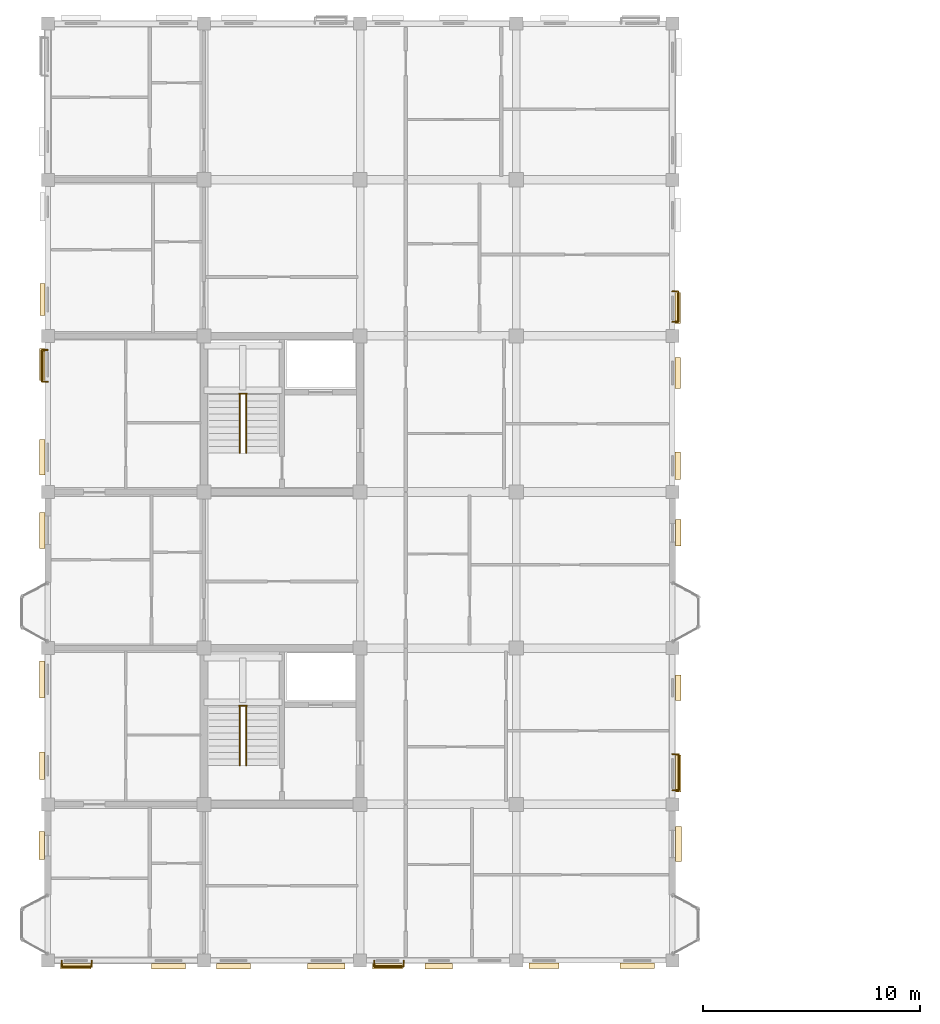
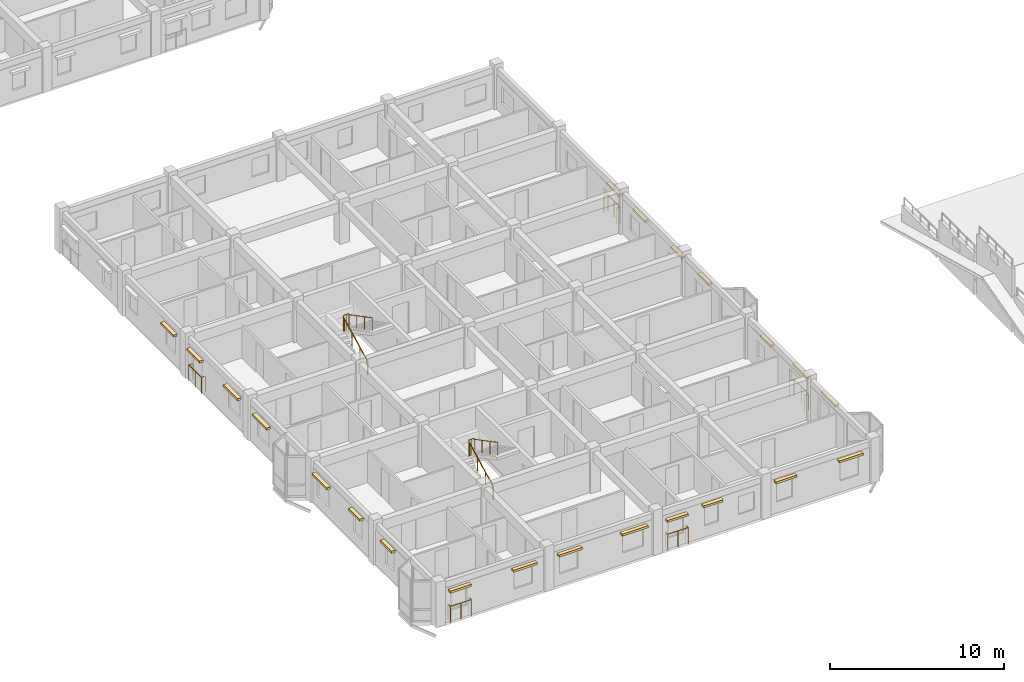
# One storey, part 115 of 124: 22 coverings, 11 railings.
"""IFC4 building model written with IfcOpenShell, lengths in metres."""

import ifcopenshell
import ifcopenshell.guid

model = None  # the IFC model being written
_history = None  # IfcOwnerHistory: only IFC2X3 demands one
_inside = {}  # id of a spatial element -> (the spatial element, [elements in it])
_under = {}  # id of a project, library or spatial element -> (it, [spatial elements below it])
_declared = {}  # id of a project -> (the project, [libraries it declares])
_typed = {}  # id of a type object -> (the type object, [elements of that type])
_made_of = {}  # id of a material, layer set ... -> (it, [elements and type objects made of it])


def new_model(schema):
    """Start an empty IFC model of exactly this schema.

    Asked for "IFC4X3", IfcOpenShell would pick the latest addendum, in which some entities
    have other attributes; the version numbers below select the first issue.
    IFC2X3 requires an IfcOwnerHistory on every rooted entity: one is made here for all.
    """
    global model, _history
    if schema == "IFC4X3":
        model = ifcopenshell.file(schema_version=(4, 3, 0, 0))
    else:
        model = ifcopenshell.file(schema=schema)
    _inside.clear()
    _under.clear()
    _declared.clear()
    _typed.clear()
    _made_of.clear()
    _history = None
    if model.schema == "IFC2X3":
        org = make("IfcOrganization", Name="unknown")
        user = make(
            "IfcPersonAndOrganization",
            ThePerson=make("IfcPerson", FamilyName="unknown"),
            TheOrganization=org,
        )
        app = make(
            "IfcApplication",
            ApplicationDeveloper=org,
            Version="unknown",
            ApplicationFullName="unknown",
            ApplicationIdentifier="unknown",
        )
        _history = make(
            "IfcOwnerHistory",
            OwningUser=user,
            OwningApplication=app,
            ChangeAction="ADDED",
            CreationDate=0,
        )
    return model


def make(cls, **values):
    """One entity of the class cls with the attributes given. An attribute that is None is left unset."""
    return model.create_entity(
        cls, **{name: value for name, value in values.items() if value is not None}
    )


def rooted(cls, **values):
    """An entity with a GlobalId (a new one), such as an element, a storey or a relation."""
    return make(cls, GlobalId=ifcopenshell.guid.new(), OwnerHistory=_history, **values)


def si_unit(unit_type, name, prefix=None):
    """IfcSIUnit, for example si_unit("LENGTHUNIT", "METRE", prefix="MILLI")."""
    return make("IfcSIUnit", UnitType=unit_type, Prefix=prefix, Name=name)


def assignment(units):
    """IfcUnitAssignment: the units of a project."""
    return None if units is None else make("IfcUnitAssignment", Units=units)


def point(xyz):
    """IfcCartesianPoint."""
    return None if xyz is None else make("IfcCartesianPoint", Coordinates=xyz)


def direction(xyz):
    """IfcDirection."""
    return None if xyz is None else make("IfcDirection", DirectionRatios=xyz)


def frame(location, z_axis=None, x_axis=None):
    """IfcAxis2Placement3D, a coordinate frame: its origin and axes. An axis left out is left unset."""
    return make(
        "IfcAxis2Placement3D",
        Location=point(location),
        Axis=direction(z_axis),
        RefDirection=direction(x_axis),
    )


def frame_2d(location, x_axis=None):
    """IfcAxis2Placement2D, a coordinate frame in the plane: its origin and x axis."""
    return make(
        "IfcAxis2Placement2D", Location=point(location), RefDirection=direction(x_axis)
    )


def origin():
    """The frame at (0, 0, 0) with its axes left unset."""
    return frame((0.0, 0.0, 0.0))


def origin_2d():
    """The frame at (0, 0) in the plane with its x axis left unset."""
    return frame_2d((0.0, 0.0))


def place(relative_to, where):
    """IfcLocalPlacement: puts the frame where relative to a parent placement (None: the world)."""
    return make(
        "IfcLocalPlacement", PlacementRelTo=relative_to, RelativePlacement=where
    )


def context(
    kind, dimensions, precision=None, world=None, true_north=None, identifier=None
):
    """IfcGeometricRepresentationContext, for example the 3D "Model" context."""
    return make(
        "IfcGeometricRepresentationContext",
        ContextIdentifier=identifier,
        ContextType=kind,
        CoordinateSpaceDimension=dimensions,
        Precision=precision,
        WorldCoordinateSystem=world,
        TrueNorth=true_north,
    )


def subcontext(parent, identifier, kind, view, scale=None):
    """IfcGeometricRepresentationSubContext, for example "Body" below "Model"."""
    return make(
        "IfcGeometricRepresentationSubContext",
        ContextIdentifier=identifier,
        ContextType=kind,
        ParentContext=parent,
        TargetScale=scale,
        TargetView=view,
    )


def project(units=None, contexts=None):
    """IfcProject with its units and contexts."""
    return rooted(
        "IfcProject",
        Name="project",
        RepresentationContexts=contexts,
        UnitsInContext=assignment(units),
    )


def spatial(cls, under=None, at=None, **own):
    """A site, building, storey or space (cls), placed at a placement, below another one or the project."""
    s = rooted(cls, ObjectPlacement=at, **own)
    if under is not None:
        _under.setdefault(under.id(), (under, []))[1].append(s)
    return s


def profile(cls, at=None, kind="AREA", **sizes):
    """A parametric profile (cls). Its sizes go by their IFC names, for example OverallWidth=200.0."""
    return make(cls, ProfileType=kind, Position=at, **sizes)


def rectangle(**sizes):
    """IfcRectangleProfileDef."""
    return profile("IfcRectangleProfileDef", **sizes)


def circle(**sizes):
    """IfcCircleProfileDef."""
    return profile("IfcCircleProfileDef", **sizes)


def extrude(swept, where, along, depth):
    """IfcExtrudedAreaSolid: the profile swept, set in the frame where, extruded along a direction by depth."""
    return make(
        "IfcExtrudedAreaSolid",
        SweptArea=swept,
        Position=where,
        ExtrudedDirection=direction(along),
        Depth=depth,
    )


def shape(context_of_items, identifier, shape_type, items):
    """IfcShapeRepresentation: the items that make up one representation, for example the "Body"."""
    return make(
        "IfcShapeRepresentation",
        ContextOfItems=context_of_items,
        RepresentationIdentifier=identifier,
        RepresentationType=shape_type,
        Items=items,
    )


def material(Name=None, Category=None):
    """IfcMaterial."""
    return make("IfcMaterial", Name=Name, Category=Category)


def layer(
    of_material, thickness, ventilated=None, Name=None, Category=None, Priority=None
):
    """IfcMaterialLayer: one layer of a wall or slab, of a material (None: an air gap)."""
    return make(
        "IfcMaterialLayer",
        Material=of_material,
        LayerThickness=thickness,
        IsVentilated=ventilated,
        Name=Name,
        Category=Category,
        Priority=Priority,
    )


def layer_set(layers, Name=None):
    """IfcMaterialLayerSet."""
    return make("IfcMaterialLayerSet", MaterialLayers=layers, LayerSetName=Name)


def made_of(thing, what):
    """Note that an element or type object is made of a material, layer set ...; save() writes the relation."""
    if what is not None:
        _made_of.setdefault(what.id(), (what, []))[1].append(thing)
    return thing


def type_object(cls, material=None, **own):
    """A type object (cls), such as IfcWallType, which elements share."""
    return made_of(rooted(cls, **own), material)


def element(
    cls,
    number,
    at=None,
    inside=None,
    cuts=None,
    type_object=None,
    material=None,
    context=None,
    identifier="Body",
    shape_type=None,
    held_by="IfcProductDefinitionShape",
    body=None,
    shapes=None,
    **own,
):
    """One element of the class cls, such as IfcWall. Its Tag is "e" and its number.

    at: its placement. inside: the storey or other place that contains it. cuts: it is an
    opening in that element (IfcRelVoidsElement). A single representation is given by context,
    identifier, shape_type and body (its items); several are given by shapes. held_by: the class
    of the entity that holds the representations. save() writes the other relations.
    """
    e = rooted(cls, Tag="e%d" % number, ObjectPlacement=at, **own)
    if body is not None:
        shapes = [shape(context, identifier, shape_type, body)]
    if shapes is not None:
        e.Representation = make(held_by, Representations=shapes)
    if inside is not None:
        _inside.setdefault(inside.id(), (inside, []))[1].append(e)
    if cuts is not None:
        rooted(
            "IfcRelVoidsElement", RelatingBuildingElement=cuts, RelatedOpeningElement=e
        )
    if type_object is not None:
        _typed.setdefault(type_object.id(), (type_object, []))[1].append(e)
    return made_of(e, material)


def aggregate(whole, parts):
    """IfcRelAggregates: a whole, such as a stair, and the parts it consists of."""
    return rooted("IfcRelAggregates", RelatingObject=whole, RelatedObjects=parts)


def save(model, path):
    """Write the relations noted so far, then the file.

    IfcRelAggregates (storeys below a building ...), IfcRelContainedInSpatialStructure (elements
    in a storey), IfcRelDefinesByType, IfcRelAssociatesMaterial and IfcRelDeclares: one each for
    every whole, place, type object, material and project.
    """
    for whole, parts in _under.values():
        aggregate(whole, parts)
    for where, things in _inside.values():
        rooted(
            "IfcRelContainedInSpatialStructure",
            RelatedElements=things,
            RelatingStructure=where,
        )
    for kind, things in _typed.values():
        rooted("IfcRelDefinesByType", RelatedObjects=things, RelatingType=kind)
    for what, things in _made_of.values():
        rooted("IfcRelAssociatesMaterial", RelatedObjects=things, RelatingMaterial=what)
    for by, libraries in _declared.values():
        rooted("IfcRelDeclares", RelatingContext=by, RelatedDefinitions=libraries)
    model.write(path)


model = new_model("IFC4")

# Units and contexts
model_context = context("Model", 3, precision=1e-05, world=origin(), true_north=direction((0.0, 1.0)))
body_context = subcontext(model_context, "Body", "Model", "MODEL_VIEW")
ifc_project = project(units=[si_unit("LENGTHUNIT", "METRE"), si_unit("AREAUNIT", "SQUARE_METRE"), si_unit("VOLUMEUNIT", "CUBIC_METRE"), si_unit("PLANEANGLEUNIT", "RADIAN"), si_unit("MASSUNIT", "GRAM", prefix="KILO"), si_unit("THERMODYNAMICTEMPERATUREUNIT", "KELVIN"), si_unit("POWERUNIT", "WATT")], contexts=[model_context])

# Site, building, storey
site_placement = place(None, origin())
site = spatial("IfcSite", under=ifc_project, at=site_placement, CompositionType="ELEMENT")
building_placement = place(site_placement, origin())
building = spatial("IfcBuilding", under=site, at=building_placement, Name="Tavuni Mirador Residences", CompositionType="ELEMENT")
storey_placement = place(building_placement, frame((0.0, 0.0, 7.64990234375)))
storey = spatial("IfcBuildingStorey", under=building, at=storey_placement, Name="L02", CompositionType="ELEMENT", Elevation=7.64990234375)

# Coverings
ifc_material_1 = material(Name="Natural coral limestone", Category="masonry")
ifc_layer = layer(ifc_material_1, 0.054931640625, Name="Natural coral limestone", Category="masonry")
ifc_layer_set = layer_set([ifc_layer], Name="Natural coral limestone")
covering_type = type_object("IfcCoveringType", Name="CVT-CLAD-CORAL", PredefinedType="CLADDING", material=ifc_layer_set)
covering_1_placement = place(storey_placement, frame((4.8798828125, 6.925537109375, 2.1650390625), z_axis=(0.0, 0.0, 1.0), x_axis=(1.0, 0.0, 0.0)))
element("IfcCovering", 1, at=covering_1_placement, inside=storey, type_object=covering_type, Name="HOOD-0055", PredefinedType="CLADDING", context=body_context, shape_type="SweptSolid", body=[
    extrude(rectangle(XDim=1.39990234375, YDim=0.25, at=origin_2d()), origin(), (0.0, 0.0, 1.0), 0.14990234375),
])
for number, where, z_axis, x_axis, name in (
    (2, (9.159912109375, 6.925537109375, 2.1650390625), (0.0, 0.0, 1.0), (1.0, 0.0, 0.0), "HOOD-0056"),
    (3, (12.159912109375, 6.93310546875, 2.1650390625), (0.0, 0.0, 1.0), (1.0, 0.0, 0.0), "HOOD-0057"),
):
    element("IfcCovering", number, at=place(storey_placement, frame(where, z_axis=z_axis, x_axis=x_axis)), inside=storey, type_object=covering_type, Name=name, PredefinedType="CLADDING", context=body_context, shape_type="SweptSolid", body=[
        extrude(rectangle(XDim=1.56005859375, YDim=0.25, at=origin_2d()), origin(), (0.0, 0.0, 1.0), 0.14990234375),
    ])
covering_2_placement = place(storey_placement, frame((16.43994140625, 6.93310546875, 2.1650390625), z_axis=(0.0, 0.0, 1.0), x_axis=(1.0, 0.0, 0.0)))
element("IfcCovering", 4, at=covering_2_placement, inside=storey, type_object=covering_type, Name="HOOD-0058", PredefinedType="CLADDING", context=body_context, shape_type="SweptSolid", body=[
    extrude(rectangle(XDim=1.719970703125, YDim=0.25, at=origin_2d()), origin(), (0.0, 0.0, 1.0), 0.14990234375),
])
covering_3_placement = place(storey_placement, frame((19.27001953125, 6.9404296875, 2.065185546875), z_axis=(0.0, 0.0, 1.0), x_axis=(1.0, 0.0, 0.0)))
element("IfcCovering", 5, at=covering_3_placement, inside=storey, type_object=covering_type, Name="HOOD-0059", PredefinedType="CLADDING", context=body_context, shape_type="SweptSolid", body=[
    extrude(rectangle(XDim=1.3798828125, YDim=0.25, at=origin_2d()), origin(), (0.0, 0.0, 1.0), 0.14990234375),
])
covering_4_placement = place(storey_placement, frame((21.6298828125, 6.9404296875, 2.2451171875), z_axis=(0.0, 0.0, 1.0), x_axis=(1.0, 0.0, 0.0)))
element("IfcCovering", 6, at=covering_4_placement, inside=storey, type_object=covering_type, Name="HOOD-0060", PredefinedType="CLADDING", context=body_context, shape_type="SweptSolid", body=[
    extrude(rectangle(XDim=1.280029296875, YDim=0.25, at=origin_2d()), origin(), (0.0, 0.0, 1.0), 0.14990234375),
])
covering_5_placement = place(storey_placement, frame((26.47509765625, 6.950439453125, 2.2451171875), z_axis=(0.0, 0.0, 1.0), x_axis=(1.0, 0.0, 0.0)))
element("IfcCovering", 7, at=covering_5_placement, inside=storey, type_object=covering_type, Name="HOOD-0061", PredefinedType="CLADDING", context=body_context, shape_type="SweptSolid", body=[
    extrude(rectangle(XDim=1.389892578125, YDim=0.25, at=origin_2d()), origin(), (0.0, 0.0, 1.0), 0.14990234375),
])
covering_6_placement = place(storey_placement, frame((30.77490234375, 6.950439453125, 2.2451171875), z_axis=(0.0, 0.0, 1.0), x_axis=(1.0, 0.0, 0.0)))
element("IfcCovering", 8, at=covering_6_placement, inside=storey, type_object=covering_type, Name="HOOD-0062", PredefinedType="CLADDING", context=body_context, shape_type="SweptSolid", body=[
    extrude(rectangle(XDim=1.590087890625, YDim=0.25, at=origin_2d()), origin(), (0.0, 0.0, 1.0), 0.14990234375),
])
covering_7_placement = place(storey_placement, frame((32.679443359375, 12.570068359375, 2.240234375), z_axis=(0.0, 0.0, 1.0), x_axis=(0.0, 1.0, 0.0)))
element("IfcCovering", 9, at=covering_7_placement, inside=storey, type_object=covering_type, Name="HOOD-0063", PredefinedType="CLADDING", context=body_context, shape_type="SweptSolid", body=[
    extrude(rectangle(XDim=1.610107421875, YDim=0.260009765625, at=origin_2d()), origin(), (0.0, 0.0, 1.0), 0.159912109375),
])
covering_8_placement = place(storey_placement, frame((32.6669921875, 15.824951171875, 2.2451171875), z_axis=(0.0, 0.0, 1.0), x_axis=(0.0, 1.0, 0.0)))
element("IfcCovering", 10, at=covering_8_placement, inside=storey, type_object=covering_type, Name="HOOD-0064", PredefinedType="CLADDING", context=body_context, shape_type="SweptSolid", body=[
    extrude(rectangle(XDim=1.68994140625, YDim=0.25, at=origin_2d()), origin(), (0.0, 0.0, 1.0), 0.14990234375),
])
covering_9_placement = place(storey_placement, frame((32.6669921875, 19.77490234375, 1.955078125), z_axis=(0.0, 0.0, 1.0), x_axis=(0.0, 1.0, 0.0)))
element("IfcCovering", 11, at=covering_9_placement, inside=storey, type_object=covering_type, Name="HOOD-0065", PredefinedType="CLADDING", context=body_context, shape_type="SweptSolid", body=[
    extrude(rectangle(XDim=1.18994140625, YDim=0.25, at=origin_2d()), origin(), (0.0, 0.0, 1.0), 0.14990234375),
])
covering_10_placement = place(storey_placement, frame((32.66455078125, 26.919921875, 1.9501953125), z_axis=(0.0, 0.0, 1.0), x_axis=(0.0, 1.0, 0.0)))
element("IfcCovering", 12, at=covering_10_placement, inside=storey, type_object=covering_type, Name="HOOD-0066", PredefinedType="CLADDING", context=body_context, shape_type="SweptSolid", body=[
    extrude(rectangle(XDim=1.2099609375, YDim=0.260009765625, at=origin_2d()), origin(), (0.0, 0.0, 1.0), 0.159912109375),
])
covering_11_placement = place(storey_placement, frame((32.6494140625, 30.010009765625, 1.955078125), z_axis=(0.0, 0.0, 1.0), x_axis=(0.0, 1.0, 0.0)))
element("IfcCovering", 13, at=covering_11_placement, inside=storey, type_object=covering_type, Name="HOOD-0067", PredefinedType="CLADDING", context=body_context, shape_type="SweptSolid", body=[
    extrude(rectangle(XDim=1.260009765625, YDim=0.25, at=origin_2d()), origin(), (0.0, 0.0, 1.0), 0.14990234375),
])
for number, where, z_axis, x_axis, name in (
    (14, (32.6494140625, 34.2900390625, 1.955078125), (0.0, 0.0, 1.0), (0.0, 1.0, 0.0), "HOOD-0068"),
    (15, (32.64453125, 37.2900390625, 1.955078125), (0.0, 0.0, 1.0), (0.0, 1.0, 0.0), "HOOD-0069"),
):
    element("IfcCovering", number, at=place(storey_placement, frame(where, z_axis=z_axis, x_axis=x_axis)), inside=storey, type_object=covering_type, Name=name, PredefinedType="CLADDING", context=body_context, shape_type="SweptSolid", body=[
        extrude(rectangle(XDim=1.419921875, YDim=0.25, at=origin_2d()), origin(), (0.0, 0.0, 1.0), 0.14990234375),
    ])
for number, where, z_axis, x_axis, name in (
    (16, (3.35546875, 37.679931640625, 2.1650390625), (0.0, 0.0, 1.0), (0.0, -1.0, 0.0), "HOOD-0084"),
    (17, (3.3505859375, 34.679931640625, 2.1650390625), (0.0, 0.0, 1.0), (0.0, -1.0, 0.0), "HOOD-0085"),
):
    element("IfcCovering", number, at=place(storey_placement, frame(where, z_axis=z_axis, x_axis=x_axis)), inside=storey, type_object=covering_type, Name=name, PredefinedType="CLADDING", context=body_context, shape_type="SweptSolid", body=[
        extrude(rectangle(XDim=1.47998046875, YDim=0.25, at=origin_2d()), origin(), (0.0, 0.0, 1.0), 0.14990234375),
    ])
covering_12_placement = place(storey_placement, frame((3.3505859375, 30.39990234375, 2.1650390625), z_axis=(0.0, 0.0, 1.0), x_axis=(0.0, -1.0, 0.0)))
element("IfcCovering", 18, at=covering_12_placement, inside=storey, type_object=covering_type, Name="HOOD-0086", PredefinedType="CLADDING", context=body_context, shape_type="SweptSolid", body=[
    extrude(rectangle(XDim=1.639892578125, YDim=0.25, at=origin_2d()), origin(), (0.0, 0.0, 1.0), 0.14990234375),
])
covering_13_placement = place(storey_placement, frame((3.33544921875, 27.034912109375, 2.16015625), z_axis=(0.0, 0.0, 1.0), x_axis=(0.0, -1.0, 0.0)))
element("IfcCovering", 19, at=covering_13_placement, inside=storey, type_object=covering_type, Name="HOOD-0087", PredefinedType="CLADDING", context=body_context, shape_type="SweptSolid", body=[
    extrude(rectangle(XDim=1.659912109375, YDim=0.260009765625, at=origin_2d()), origin(), (0.0, 0.0, 1.0), 0.159912109375),
])
covering_14_placement = place(storey_placement, frame((3.3330078125, 20.159912109375, 2.1650390625), z_axis=(0.0, 0.0, 1.0), x_axis=(0.0, -1.0, 0.0)))
element("IfcCovering", 20, at=covering_14_placement, inside=storey, type_object=covering_type, Name="HOOD-0088", PredefinedType="CLADDING", context=body_context, shape_type="SweptSolid", body=[
    extrude(rectangle(XDim=1.719970703125, YDim=0.25, at=origin_2d()), origin(), (0.0, 0.0, 1.0), 0.14990234375),
])
covering_15_placement = place(storey_placement, frame((3.3330078125, 16.179931640625, 2.2451171875), z_axis=(0.0, 0.0, 1.0), x_axis=(0.0, -1.0, 0.0)))
element("IfcCovering", 21, at=covering_15_placement, inside=storey, type_object=covering_type, Name="HOOD-0089", PredefinedType="CLADDING", context=body_context, shape_type="SweptSolid", body=[
    extrude(rectangle(XDim=1.280029296875, YDim=0.25, at=origin_2d()), origin(), (0.0, 0.0, 1.0), 0.14990234375),
])
covering_16_placement = place(storey_placement, frame((3.320556640625, 12.4951171875, 2.240234375), z_axis=(0.0, 0.0, 1.0), x_axis=(0.0, -1.0, 0.0)))
element("IfcCovering", 22, at=covering_16_placement, inside=storey, type_object=covering_type, Name="HOOD-0090", PredefinedType="CLADDING", context=body_context, shape_type="SweptSolid", body=[
    extrude(rectangle(XDim=1.300048828125, YDim=0.260009765625, at=origin_2d()), origin(), (0.0, 0.0, 1.0), 0.159912109375),
])

# Railings
ifc_material_2 = material(Name="Structural steel S355", Category="steel")
railing_type_1 = type_object("IfcRailingType", Name="RT-BL1150", PredefinedType="BALUSTRADE", material=ifc_material_2)
railing_1_placement = place(storey_placement, frame((4.25, 7.199951171875, 0.0400390625)))
element("IfcRailing", 23, at=railing_1_placement, inside=storey, type_object=railing_type_1, Name="BALC-BLK-A-L02-S00", PredefinedType="BALUSTRADE", context=body_context, shape_type="SweptSolid", body=[
    extrude(circle(Radius=0.02392578125, at=origin_2d()), frame((0.0, 0.0, 1.1259765625), z_axis=(0.0, -1.0, 0.0), x_axis=(1.0, 0.0, 0.0)), (0.0, 0.0, 1.0), 0.29248046875),
    extrude(circle(Radius=0.02392578125, at=origin_2d()), frame((0.0, -0.29248046875, 1.1259765625), z_axis=(1.0, 0.0, 0.0), x_axis=(0.0, 1.0, 0.0)), (0.0, 0.0, 1.0), 1.3798828125),
    extrude(circle(Radius=0.02392578125, at=origin_2d()), frame((1.3798828125, -0.29248046875, 1.1259765625), z_axis=(0.0, 1.0, 0.0), x_axis=(-1.0, 0.0, 0.0)), (0.0, 0.0, 1.0), 0.29248046875),
    extrude(circle(Radius=0.02099609375, at=origin_2d()), origin(), (0.0, 0.0, 1.0), 1.101806640625),
    extrude(circle(Radius=0.02099609375, at=origin_2d()), frame((0.0, -0.29248046875, 0.0)), (0.0, 0.0, 1.0), 1.101806640625),
    extrude(circle(Radius=0.02099609375, at=origin_2d()), frame((0.68994140625, -0.29248046875, 0.0)), (0.0, 0.0, 1.0), 1.101806640625),
    extrude(circle(Radius=0.02099609375, at=origin_2d()), frame((1.3798828125, -0.29248046875, 0.0)), (0.0, 0.0, 1.0), 1.101806640625),
    extrude(circle(Radius=0.02099609375, at=origin_2d()), frame((1.3798828125, 0.0, 0.0)), (0.0, 0.0, 1.0), 1.101806640625),
])
railing_2_placement = place(storey_placement, frame((18.64990234375, 7.199951171875, 0.0400390625)))
element("IfcRailing", 24, at=railing_2_placement, inside=storey, type_object=railing_type_1, Name="BALC-BLK-A-L02-S02", PredefinedType="BALUSTRADE", context=body_context, shape_type="SweptSolid", body=[
    extrude(circle(Radius=0.02392578125, at=origin_2d()), frame((0.0, 0.0, 1.1259765625), z_axis=(0.0, -1.0, 0.0), x_axis=(1.0, 0.0, 0.0)), (0.0, 0.0, 1.0), 0.27734375),
    extrude(circle(Radius=0.02392578125, at=origin_2d()), frame((0.0, -0.27734375, 1.1259765625), z_axis=(1.0, 0.0, 0.0), x_axis=(0.0, 1.0, 0.0)), (0.0, 0.0, 1.0), 1.360107421875),
    extrude(circle(Radius=0.02392578125, at=origin_2d()), frame((1.360107421875, -0.27734375, 1.1259765625), z_axis=(0.0, 1.0, 0.0), x_axis=(-1.0, 0.0, 0.0)), (0.0, 0.0, 1.0), 0.27734375),
    extrude(circle(Radius=0.02099609375, at=origin_2d()), origin(), (0.0, 0.0, 1.0), 1.101806640625),
    extrude(circle(Radius=0.02099609375, at=origin_2d()), frame((0.0, -0.27734375, 0.0)), (0.0, 0.0, 1.0), 1.101806640625),
    extrude(circle(Radius=0.02099609375, at=origin_2d()), frame((0.68017578125, -0.27734375, 0.0)), (0.0, 0.0, 1.0), 1.101806640625),
    extrude(circle(Radius=0.02099609375, at=origin_2d()), frame((1.360107421875, -0.27734375, 0.0)), (0.0, 0.0, 1.0), 1.101806640625),
    extrude(circle(Radius=0.02099609375, at=origin_2d()), frame((1.360107421875, 0.0, 0.0)), (0.0, 0.0, 1.0), 1.101806640625),
])
railing_3_placement = place(storey_placement, frame((32.39990234375, 15.050048828125, 0.0400390625)))
element("IfcRailing", 25, at=railing_3_placement, inside=storey, type_object=railing_type_1, Name="BALC-BLK-A-L02-E01", PredefinedType="BALUSTRADE", context=body_context, shape_type="SweptSolid", body=[
    extrude(circle(Radius=0.02392578125, at=origin_2d()), frame((0.0, 0.0, 1.1259765625), z_axis=(1.0, 0.0, 0.0), x_axis=(0.0, 1.0, 0.0)), (0.0, 0.0, 1.0), 0.28515625),
    extrude(circle(Radius=0.02392578125, at=origin_2d()), frame((0.28515625, 0.0, 1.1259765625), z_axis=(0.0, 1.0, 0.0), x_axis=(-1.0, 0.0, 0.0)), (0.0, 0.0, 1.0), 1.669921875),
    extrude(circle(Radius=0.02392578125, at=origin_2d()), frame((0.28515625, 1.669921875, 1.1259765625), z_axis=(-1.0, 0.0, 0.0), x_axis=(0.0, -1.0, 0.0)), (0.0, 0.0, 1.0), 0.28515625),
    extrude(circle(Radius=0.02099609375, at=origin_2d()), origin(), (0.0, 0.0, 1.0), 1.101806640625),
    extrude(circle(Radius=0.02099609375, at=origin_2d()), frame((0.28515625, 0.0, 0.0)), (0.0, 0.0, 1.0), 1.101806640625),
    extrude(circle(Radius=0.02099609375, at=origin_2d()), frame((0.28515625, 0.8349609375, 0.0)), (0.0, 0.0, 1.0), 1.101806640625),
    extrude(circle(Radius=0.02099609375, at=origin_2d()), frame((0.28515625, 1.669921875, 0.0)), (0.0, 0.0, 1.0), 1.101806640625),
    extrude(circle(Radius=0.02099609375, at=origin_2d()), frame((0.0, 1.669921875, 0.0)), (0.0, 0.0, 1.0), 1.101806640625),
])
railing_4_placement = place(storey_placement, frame((32.39990234375, 36.64990234375, 0.0400390625)))
element("IfcRailing", 26, at=railing_4_placement, inside=storey, type_object=railing_type_1, Name="BALC-BLK-A-L02-E04", PredefinedType="BALUSTRADE", context=body_context, shape_type="SweptSolid", body=[
    extrude(circle(Radius=0.02392578125, at=origin_2d()), frame((0.0, 0.0, 1.1259765625), z_axis=(1.0, 0.0, 0.0), x_axis=(0.0, 1.0, 0.0)), (0.0, 0.0, 1.0), 0.2626953125),
    extrude(circle(Radius=0.02392578125, at=origin_2d()), frame((0.2626953125, 0.0, 1.1259765625), z_axis=(0.0, 1.0, 0.0), x_axis=(-1.0, 0.0, 0.0)), (0.0, 0.0, 1.0), 1.400146484375),
    extrude(circle(Radius=0.02392578125, at=origin_2d()), frame((0.2626953125, 1.400146484375, 1.1259765625), z_axis=(-1.0, 0.0, 0.0), x_axis=(0.0, -1.0, 0.0)), (0.0, 0.0, 1.0), 0.2626953125),
    extrude(circle(Radius=0.02099609375, at=origin_2d()), origin(), (0.0, 0.0, 1.0), 1.101806640625),
    extrude(circle(Radius=0.02099609375, at=origin_2d()), frame((0.2626953125, 0.0, 0.0)), (0.0, 0.0, 1.0), 1.101806640625),
    extrude(circle(Radius=0.02099609375, at=origin_2d()), frame((0.2626953125, 0.7001953125, 0.0)), (0.0, 0.0, 1.0), 1.101806640625),
    extrude(circle(Radius=0.02099609375, at=origin_2d()), frame((0.2626953125, 1.400146484375, 0.0)), (0.0, 0.0, 1.0), 1.101806640625),
    extrude(circle(Radius=0.02099609375, at=origin_2d()), frame((0.0, 1.400146484375, 0.0)), (0.0, 0.0, 1.0), 1.101806640625),
])
railing_5_placement = place(storey_placement, frame((3.60009765625, 35.35009765625, 0.0400390625)))
element("IfcRailing", 27, at=railing_5_placement, inside=storey, type_object=railing_type_1, Name="BALC-BLK-A-L02-W03", PredefinedType="BALUSTRADE", context=body_context, shape_type="SweptSolid", body=[
    extrude(circle(Radius=0.02392578125, at=origin_2d()), frame((0.0, 0.0, 1.1259765625), z_axis=(-1.0, 0.0, 0.0), x_axis=(0.0, -1.0, 0.0)), (0.0, 0.0, 1.0), 0.267578125),
    extrude(circle(Radius=0.02392578125, at=origin_2d()), frame((-0.267578125, 0.0, 1.1259765625), z_axis=(0.0, -1.0, 0.0), x_axis=(1.0, 0.0, 0.0)), (0.0, 0.0, 1.0), 1.460205078125),
    extrude(circle(Radius=0.02392578125, at=origin_2d()), frame((-0.267578125, -1.460205078125, 1.1259765625), z_axis=(1.0, 0.0, 0.0), x_axis=(0.0, 1.0, 0.0)), (0.0, 0.0, 1.0), 0.267578125),
    extrude(circle(Radius=0.02099609375, at=origin_2d()), origin(), (0.0, 0.0, 1.0), 1.101806640625),
    extrude(circle(Radius=0.02099609375, at=origin_2d()), frame((-0.267578125, 0.0, 0.0)), (0.0, 0.0, 1.0), 1.101806640625),
    extrude(circle(Radius=0.02099609375, at=origin_2d()), frame((-0.267578125, -0.72998046875, 0.0)), (0.0, 0.0, 1.0), 1.101806640625),
    extrude(circle(Radius=0.02099609375, at=origin_2d()), frame((-0.267578125, -1.460205078125, 0.0)), (0.0, 0.0, 1.0), 1.101806640625),
    extrude(circle(Radius=0.02099609375, at=origin_2d()), frame((0.0, -1.460205078125, 0.0)), (0.0, 0.0, 1.0), 1.101806640625),
])
railing_type_2 = type_object("IfcRailingType", Name="RT-GR1120", PredefinedType="GUARDRAIL", material=ifc_material_2)
for number, where, name in (
    (28, (12.419921875, 18.93994140625, 1.5751953125), "GRD-HL-ST1-L02"),
    (29, (12.419921875, 33.340087890625, 1.5751953125), "GRD-HL-ST2-L02"),
):
    element("IfcRailing", number, at=place(storey_placement, frame(where)), inside=storey, type_object=railing_type_2, Name=name, PredefinedType="GUARDRAIL", context=body_context, shape_type="SweptSolid", body=[
        extrude(circle(Radius=0.02392578125, at=origin_2d()), frame((0.0, 0.0, 1.09619140625), z_axis=(1.0, 0.0, 0.0), x_axis=(0.0, 1.0, 0.0)), (0.0, 0.0, 1.0), 0.360107421875),
        extrude(circle(Radius=0.02099609375, at=origin_2d()), origin(), (0.0, 0.0, 1.0), 1.072021484375),
        extrude(circle(Radius=0.02099609375, at=origin_2d()), frame((0.18017578125, 0.0, 0.0)), (0.0, 0.0, 1.0), 1.072021484375),
        extrude(circle(Radius=0.02099609375, at=origin_2d()), frame((0.360107421875, 0.0, 0.0)), (0.0, 0.0, 1.0), 1.072021484375),
    ])
railing_type_3 = type_object("IfcRailingType", Name="RT-HR920", PredefinedType="HANDRAIL", material=ifc_material_2)
railing_6_placement = place(storey_placement, frame((12.449951171875, 16.199951171875, 0.15771484375)))
element("IfcRailing", 30, at=railing_6_placement, inside=storey, type_object=railing_type_3, Name="HR-ST1-L02-F1", PredefinedType="HANDRAIL", context=body_context, shape_type="SweptSolid", body=[
    extrude(circle(Radius=0.02392578125, at=origin_2d()), frame((0.0, 0.0, 0.89599609375), z_axis=(0.0, 0.885397079081, 0.464835468048), x_axis=(-1.0, 0.0, 0.0)), (0.0, 0.0, 1.0), 3.04931640625),
    extrude(circle(Radius=0.02099609375, at=origin_2d()), origin(), (0.0, 0.0, 1.0), 0.871826171875),
    extrude(circle(Radius=0.02099609375, at=origin_2d()), frame((0.0, 0.89990234375, 0.472412109375)), (0.0, 0.0, 1.0), 0.871826171875),
    extrude(circle(Radius=0.02099609375, at=origin_2d()), frame((0.0, 1.800048828125, 0.945068359375)), (0.0, 0.0, 1.0), 0.871826171875),
    extrude(circle(Radius=0.02099609375, at=origin_2d()), frame((0.0, 2.699951171875, 1.41748046875)), (0.0, 0.0, 1.0), 0.871826171875),
])
railing_7_placement = place(storey_placement, frame((12.75, 18.89990234375, 1.732666015625)))
element("IfcRailing", 31, at=railing_7_placement, inside=storey, type_object=railing_type_3, Name="HR-ST1-L02-F2", PredefinedType="HANDRAIL", context=body_context, shape_type="SweptSolid", body=[
    extrude(circle(Radius=0.02392578125, at=origin_2d()), frame((0.0, 0.0, 0.89599609375), z_axis=(0.0, -0.885397079081, 0.464835468048), x_axis=(1.0, 0.0, 0.0)), (0.0, 0.0, 1.0), 3.04931640625),
    extrude(circle(Radius=0.02099609375, at=origin_2d()), origin(), (0.0, 0.0, 1.0), 0.871826171875),
    extrude(circle(Radius=0.02099609375, at=origin_2d()), frame((0.0, -0.89990234375, 0.472412109375)), (0.0, 0.0, 1.0), 0.871826171875),
    extrude(circle(Radius=0.02099609375, at=origin_2d()), frame((0.0, -1.800048828125, 0.945068359375)), (0.0, 0.0, 1.0), 0.871826171875),
    extrude(circle(Radius=0.02099609375, at=origin_2d()), frame((0.0, -2.699951171875, 1.41748046875)), (0.0, 0.0, 1.0), 0.871826171875),
])
railing_8_placement = place(storey_placement, frame((12.449951171875, 30.60009765625, 0.15771484375)))
element("IfcRailing", 32, at=railing_8_placement, inside=storey, type_object=railing_type_3, Name="HR-ST2-L02-F1", PredefinedType="HANDRAIL", context=body_context, shape_type="SweptSolid", body=[
    extrude(circle(Radius=0.02392578125, at=origin_2d()), frame((0.0, 0.0, 0.89599609375), z_axis=(0.0, 0.885397079081, 0.464835468048), x_axis=(-1.0, 0.0, 0.0)), (0.0, 0.0, 1.0), 3.04931640625),
    extrude(circle(Radius=0.02099609375, at=origin_2d()), origin(), (0.0, 0.0, 1.0), 0.871826171875),
    extrude(circle(Radius=0.02099609375, at=origin_2d()), frame((0.0, 0.89990234375, 0.472412109375)), (0.0, 0.0, 1.0), 0.871826171875),
    extrude(circle(Radius=0.02099609375, at=origin_2d()), frame((0.0, 1.800048828125, 0.945068359375)), (0.0, 0.0, 1.0), 0.871826171875),
    extrude(circle(Radius=0.02099609375, at=origin_2d()), frame((0.0, 2.699951171875, 1.41748046875)), (0.0, 0.0, 1.0), 0.871826171875),
])
railing_9_placement = place(storey_placement, frame((12.75, 33.300048828125, 1.732666015625)))
element("IfcRailing", 33, at=railing_9_placement, inside=storey, type_object=railing_type_3, Name="HR-ST2-L02-F2", PredefinedType="HANDRAIL", context=body_context, shape_type="SweptSolid", body=[
    extrude(circle(Radius=0.02392578125, at=origin_2d()), frame((0.0, 0.0, 0.89599609375), z_axis=(0.0, -0.885397079081, 0.464835468048), x_axis=(1.0, 0.0, 0.0)), (0.0, 0.0, 1.0), 3.04931640625),
    extrude(circle(Radius=0.02099609375, at=origin_2d()), origin(), (0.0, 0.0, 1.0), 0.871826171875),
    extrude(circle(Radius=0.02099609375, at=origin_2d()), frame((0.0, -0.89990234375, 0.472412109375)), (0.0, 0.0, 1.0), 0.871826171875),
    extrude(circle(Radius=0.02099609375, at=origin_2d()), frame((0.0, -1.800048828125, 0.945068359375)), (0.0, 0.0, 1.0), 0.871826171875),
    extrude(circle(Radius=0.02099609375, at=origin_2d()), frame((0.0, -2.699951171875, 1.41748046875)), (0.0, 0.0, 1.0), 0.871826171875),
])

save(model, "model.ifc")
